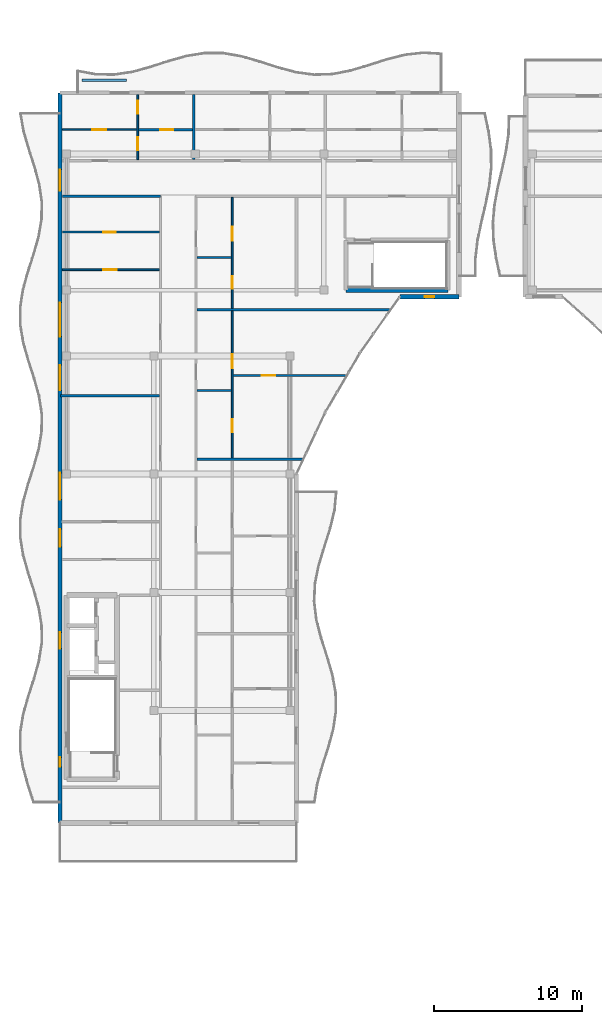
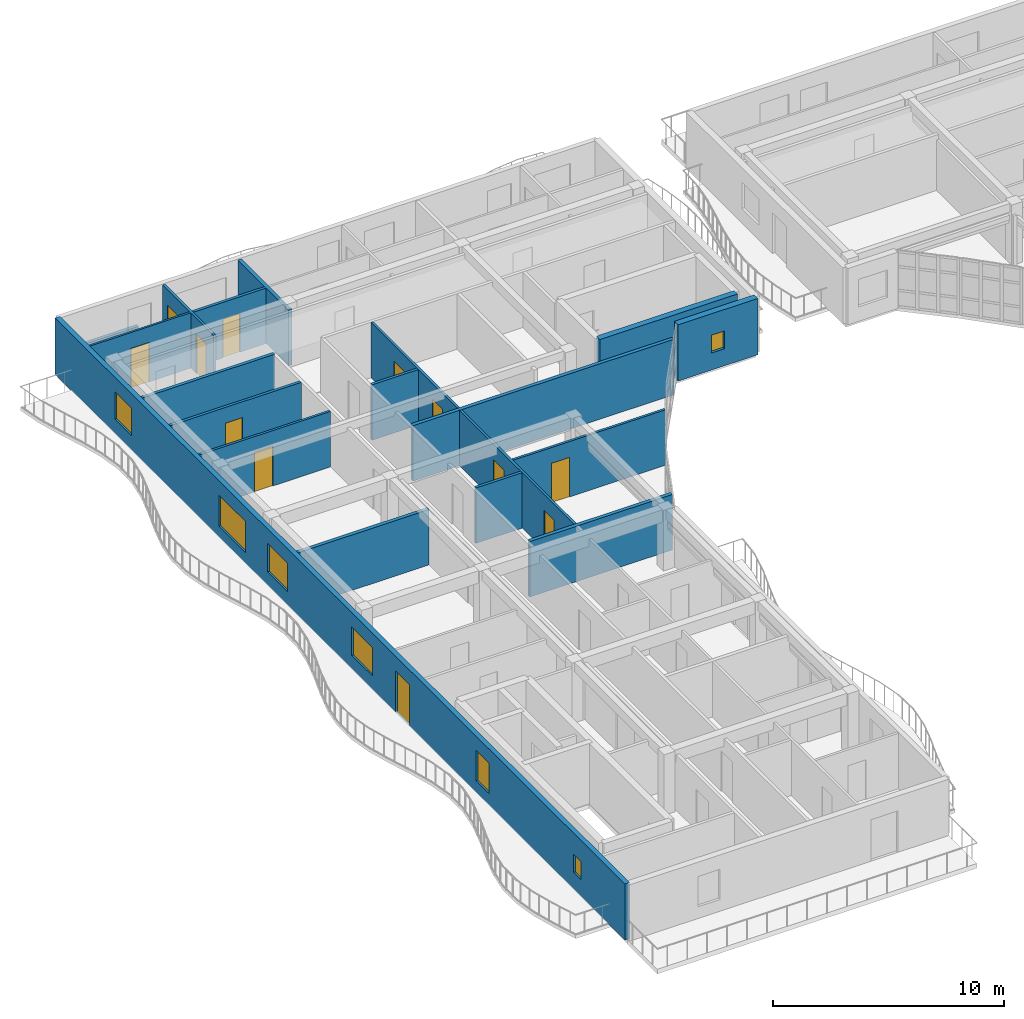
# One storey, part 32 of 68: 19 walls, 12 doors, 7 windows, 19 openings.
"""IFC4 building model written with IfcOpenShell, lengths in metres."""

from ifc_helpers import new_model, si_unit, direction, frame, frame_2d, origin, place, context, subcontext, project, spatial, rectangle, extrude, material, layer, layer_set, type_object, element, fill, save


model = new_model("IFC4")

# Units and contexts
model_context = context("Model", 3, precision=1e-05, world=origin(), true_north=direction((0.0, 1.0)))
body_context = subcontext(model_context, "Body", "Model", "MODEL_VIEW")
ifc_project = project(units=[si_unit("LENGTHUNIT", "METRE"), si_unit("AREAUNIT", "SQUARE_METRE"), si_unit("VOLUMEUNIT", "CUBIC_METRE"), si_unit("PLANEANGLEUNIT", "RADIAN"), si_unit("MASSUNIT", "GRAM", prefix="KILO")], contexts=[model_context])

# Site, building, storey
site_placement = place(None, origin())
site = spatial("IfcSite", under=ifc_project, at=site_placement, CompositionType="ELEMENT")
building_placement = place(site_placement, origin())
building = spatial("IfcBuilding", under=site, at=building_placement, Name="Keldmere Railside Commons", CompositionType="ELEMENT")
storey_placement = place(building_placement, frame((0.0, 0.0, 23.360107421875)))
storey = spatial("IfcBuildingStorey", under=building, at=storey_placement, Name="L07", CompositionType="ELEMENT", Elevation=23.360107421875)

# Walls
ifc_material_1 = material(Name="Acoustic Gypsum Board Partition", Category="gypsum")
ifc_layer_1 = layer(ifc_material_1, 0.179931640625, Name="Acoustic Demising Partition 180")
ifc_layer_set_1 = layer_set([ifc_layer_1], Name="Acoustic Gypsum Board Partition")
wall_type_1 = type_object("IfcWallType", Name="Acoustic Demising Partition 180", PredefinedType="PARTITIONING", material=ifc_layer_set_1)
wall_1_placement = place(storey_placement, frame((17.280029296875, 89.010009765625, 0.0), z_axis=(0.0, 0.0, 1.0), x_axis=(1.0, 0.0, 0.0)))
element("IfcWall", 1, at=wall_1_placement, inside=storey, type_object=wall_type_1, Name="IW-1 IW-L07-0453", PredefinedType="PARTITIONING", context=body_context, shape_type="SweptSolid", body=[
    extrude(rectangle(XDim=7.149658203125, YDim=0.179931640625, at=frame_2d((3.57470703125, 0.0))), origin(), (0.0, 0.0, 1.0), 2.934814453125),
])
wall_2_placement = place(storey_placement, frame((17.280029296875, 99.1298828125, 0.0), z_axis=(0.0, 0.0, 1.0), x_axis=(1.0, 0.0, 0.0)))
element("IfcWall", 2, at=wall_2_placement, inside=storey, type_object=wall_type_1, Name="IW-1 IW-L07-0454", PredefinedType="PARTITIONING", context=body_context, shape_type="SweptSolid", body=[
    extrude(rectangle(XDim=13.05322265625, YDim=0.179931640625, at=frame_2d((6.526611328125, 0.0))), origin(), (0.0, 0.0, 1.0), 2.934814453125),
])
wall_3_placement = place(storey_placement, frame((17.050048828125, 109.280029296875, 0.0), z_axis=(0.0, 0.0, 1.0), x_axis=(0.0, 1.0, 0.0)))
element("IfcWall", 3, at=wall_3_placement, inside=storey, type_object=wall_type_1, Name="IW-1 IW-L07-0467", PredefinedType="PARTITIONING", context=body_context, shape_type="SweptSolid", body=[
    extrude(rectangle(XDim=4.39990234375, YDim=0.179931640625, at=frame_2d((2.199951171875, 0.0))), origin(), (0.0, 0.0, 1.0), 2.934814453125),
])
wall_4_placement = place(storey_placement, frame((8.0400390625, 93.300048828125, 0.0), z_axis=(0.0, 0.0, 1.0), x_axis=(1.0, 0.0, 0.0)))
element("IfcWall", 4, at=wall_4_placement, inside=storey, type_object=wall_type_1, Name="IW-1 IW-L07-0478", PredefinedType="PARTITIONING", context=body_context, shape_type="SweptSolid", body=[
    extrude(rectangle(XDim=6.679931640625, YDim=0.179931640625, at=frame_2d((3.33984375, 0.0))), origin(), (0.0, 0.0, 1.0), 2.934814453125),
])

# Wall, openings, doors
ifc_layer_2 = layer(ifc_material_1, 0.1201171875, Name="Apartment Interior Partition 120")
ifc_layer_set_2 = layer_set([ifc_layer_2], Name="Acoustic Gypsum Board Partition")
wall_type_2 = type_object("IfcWallType", Name="Apartment Interior Partition 120", PredefinedType="PARTITIONING", material=ifc_layer_set_2)
wall_5_placement = place(storey_placement, frame((19.659912109375, 89.10009765625, 0.0), z_axis=(0.0, 0.0, 1.0), x_axis=(0.0, 1.0, 0.0)))
wall_5 = element("IfcWall", 5, at=wall_5_placement, inside=storey, type_object=wall_type_2, Name="IW-4 IW-L07-0462", PredefinedType="PARTITIONING", context=body_context, shape_type="SweptSolid", body=[
    extrude(rectangle(XDim=9.93994140625, YDim=0.1201171875, at=frame_2d((4.969970703125, 0.0))), origin(), (0.0, 0.0, 1.0), 2.934814453125),
])
opening_1_placement = place(wall_5_placement, frame((1.736572265625, 0.0, 0.0)))
opening_1 = element("IfcOpeningElement", 6, at=opening_1_placement, cuts=wall_5, Name="Opening ID-04", PredefinedType="OPENING", context=body_context, shape_type="SweptSolid", body=[
    extrude(rectangle(XDim=0.860107421875, YDim=2.10009765625, at=frame_2d((0.43017578125, 1.050048828125))), frame((0.0, 0.070068359375, 0.0), z_axis=(0.0, -1.0, 0.0), x_axis=(1.0, 0.0, 0.0)), (0.0, 0.0, 1.0), 0.14013671875),
])
opening_2_placement = place(wall_5_placement, frame((6.073486328125, 0.0, 0.0)))
opening_2 = element("IfcOpeningElement", 7, at=opening_2_placement, cuts=wall_5, Name="Opening ID-03", PredefinedType="OPENING", context=body_context, shape_type="SweptSolid", body=[
    extrude(rectangle(XDim=0.919921875, YDim=2.10009765625, at=frame_2d((0.4599609375, 1.050048828125))), frame((0.0, 0.070068359375, 0.0), z_axis=(0.0, -1.0, 0.0), x_axis=(1.0, 0.0, 0.0)), (0.0, 0.0, 1.0), 0.14013671875),
])
ifc_material_2 = material(Name="Engineered Oak Timber", Category="wood")
door_type_1 = type_object("IfcDoorType", Name="Apartment Bathroom Door 860x2100", OperationType="NOTDEFINED", PredefinedType="DOOR", material=ifc_material_2)
door_1_placement = place(opening_1_placement, origin())
door_1 = element("IfcDoor", 8, at=door_1_placement, inside=storey, type_object=door_type_1, Name="ID-04 IDR-L07-0358", OperationType="SINGLE_SWING_RIGHT", OverallHeight=2.10009765625, OverallWidth=0.860107421875, PredefinedType="DOOR", context=body_context, shape_type="SweptSolid", body=[
    extrude(rectangle(XDim=0.860107421875, YDim=2.10009765625, at=frame_2d((0.43017578125, 1.050048828125))), frame((0.0, 0.02490234375, 0.0), z_axis=(0.0, -1.0, 0.0), x_axis=(1.0, 0.0, 0.0)), (0.0, 0.0, 1.0), 0.050048828125),
])
fill(opening_1, door_1)
door_type_2 = type_object("IfcDoorType", Name="Kitchen Pocket-Frame Swing Door 920x2100", OperationType="NOTDEFINED", PredefinedType="DOOR", material=ifc_material_2)
door_2_placement = place(opening_2_placement, origin())
door_2 = element("IfcDoor", 9, at=door_2_placement, inside=storey, type_object=door_type_2, Name="ID-03 IDR-L07-0359", OperationType="SINGLE_SWING_LEFT", OverallHeight=2.10009765625, OverallWidth=0.919921875, PredefinedType="DOOR", context=body_context, shape_type="SweptSolid", body=[
    extrude(rectangle(XDim=0.919921875, YDim=2.10009765625, at=frame_2d((0.4599609375, 1.050048828125))), frame((0.0, 0.02490234375, 0.0), z_axis=(0.0, -1.0, 0.0), x_axis=(1.0, 0.0, 0.0)), (0.0, 0.0, 1.0), 0.050048828125),
])
fill(opening_2, door_2)

# Wall, opening, door
wall_6_placement = place(storey_placement, frame((19.719970703125, 94.669921875, 0.0), z_axis=(0.0, 0.0, 1.0), x_axis=(1.0, 0.0, 0.0)))
wall_6 = element("IfcWall", 10, at=wall_6_placement, inside=storey, type_object=wall_type_2, Name="IW-4 IW-L07-0464", PredefinedType="PARTITIONING", context=body_context, shape_type="SweptSolid", body=[
    extrude(rectangle(XDim=7.64501953125, YDim=0.1201171875, at=frame_2d((3.822509765625, 0.0))), origin(), (0.0, 0.0, 1.0), 2.934814453125),
])
opening_3_placement = place(wall_6_placement, frame((1.93798828125, 0.0, 0.0)))
opening_3 = element("IfcOpeningElement", 11, at=opening_3_placement, cuts=wall_6, Name="Opening ID-01", PredefinedType="OPENING", context=body_context, shape_type="SweptSolid", body=[
    extrude(rectangle(XDim=0.89990234375, YDim=2.10009765625, at=frame_2d((0.449951171875, 1.050048828125))), frame((0.0, 0.070068359375, 0.0), z_axis=(0.0, -1.0, 0.0), x_axis=(1.0, 0.0, 0.0)), (0.0, 0.0, 1.0), 0.14013671875),
])
door_type_3 = type_object("IfcDoorType", Name="Primary Bedroom Door 900x2100", OperationType="NOTDEFINED", PredefinedType="DOOR", material=ifc_material_2)
door_3_placement = place(opening_3_placement, origin())
door_3 = element("IfcDoor", 12, at=door_3_placement, inside=storey, type_object=door_type_3, Name="ID-01 IDR-L07-0361", OperationType="SINGLE_SWING_LEFT", OverallHeight=2.10009765625, OverallWidth=0.89990234375, PredefinedType="DOOR", context=body_context, shape_type="SweptSolid", body=[
    extrude(rectangle(XDim=0.89990234375, YDim=2.10009765625, at=frame_2d((0.449951171875, 1.050048828125))), frame((0.0, 0.02490234375, 0.0), z_axis=(0.0, -1.0, 0.0), x_axis=(1.0, 0.0, 0.0)), (0.0, 0.0, 1.0), 0.050048828125),
])
fill(opening_3, door_3)

# Wall, openings, doors
wall_7_placement = place(storey_placement, frame((19.659912109375, 99.219970703125, 0.0), z_axis=(0.0, 0.0, 1.0), x_axis=(0.0, 1.0, 0.0)))
wall_7 = element("IfcWall", 13, at=wall_7_placement, inside=storey, type_object=wall_type_2, Name="IW-4 IW-L07-0465", PredefinedType="PARTITIONING", context=body_context, shape_type="SweptSolid", body=[
    extrude(rectangle(XDim=7.5, YDim=0.1201171875, at=frame_2d((3.75, 0.0))), origin(), (0.0, 0.0, 1.0), 2.934814453125),
])
opening_4_placement = place(wall_7_placement, frame((1.31103515625, 0.0, 0.0)))
opening_4 = element("IfcOpeningElement", 14, at=opening_4_placement, cuts=wall_7, Name="Opening ID-04", PredefinedType="OPENING", context=body_context, shape_type="SweptSolid", body=[
    extrude(rectangle(XDim=0.860107421875, YDim=2.10009765625, at=frame_2d((0.43017578125, 1.050048828125))), frame((0.0, 0.070068359375, 0.0), z_axis=(0.0, -1.0, 0.0), x_axis=(1.0, 0.0, 0.0)), (0.0, 0.0, 1.0), 0.14013671875),
])
opening_5_placement = place(wall_7_placement, frame((4.583984375, 0.0, 0.0)))
opening_5 = element("IfcOpeningElement", 15, at=opening_5_placement, cuts=wall_7, Name="Opening ID-03", PredefinedType="OPENING", context=body_context, shape_type="SweptSolid", body=[
    extrude(rectangle(XDim=0.919921875, YDim=2.10009765625, at=frame_2d((0.4599609375, 1.050048828125))), frame((0.0, 0.070068359375, 0.0), z_axis=(0.0, -1.0, 0.0), x_axis=(1.0, 0.0, 0.0)), (0.0, 0.0, 1.0), 0.14013671875),
])
door_4_placement = place(opening_4_placement, origin())
door_4 = element("IfcDoor", 16, at=door_4_placement, inside=storey, type_object=door_type_1, Name="ID-04 IDR-L07-0362", OperationType="SINGLE_SWING_RIGHT", OverallHeight=2.10009765625, OverallWidth=0.860107421875, PredefinedType="DOOR", context=body_context, shape_type="SweptSolid", body=[
    extrude(rectangle(XDim=0.860107421875, YDim=2.10009765625, at=frame_2d((0.43017578125, 1.050048828125))), frame((0.0, 0.02490234375, 0.0), z_axis=(0.0, -1.0, 0.0), x_axis=(1.0, 0.0, 0.0)), (0.0, 0.0, 1.0), 0.050048828125),
])
fill(opening_4, door_4)
door_5_placement = place(opening_5_placement, origin())
door_5 = element("IfcDoor", 17, at=door_5_placement, inside=storey, type_object=door_type_2, Name="ID-03 IDR-L07-0363", OperationType="SINGLE_SWING_LEFT", OverallHeight=2.10009765625, OverallWidth=0.919921875, PredefinedType="DOOR", context=body_context, shape_type="SweptSolid", body=[
    extrude(rectangle(XDim=0.919921875, YDim=2.10009765625, at=frame_2d((0.4599609375, 1.050048828125))), frame((0.0, 0.02490234375, 0.0), z_axis=(0.0, -1.0, 0.0), x_axis=(1.0, 0.0, 0.0)), (0.0, 0.0, 1.0), 0.050048828125),
])
fill(opening_5, door_5)

wall_8_placement = place(storey_placement, frame((13.260009765625, 109.280029296875, 0.0), z_axis=(0.0, 0.0, 1.0), x_axis=(0.0, 1.0, 0.0)))
wall_8 = element("IfcWall", 18, at=wall_8_placement, inside=storey, type_object=wall_type_2, Name="IW-4 IW-L07-0469", PredefinedType="PARTITIONING", context=body_context, shape_type="SweptSolid", body=[
    extrude(rectangle(XDim=4.39990234375, YDim=0.1201171875, at=frame_2d((2.199951171875, 0.0))), origin(), (0.0, 0.0, 1.0), 2.934814453125),
])
opening_6_placement = place(wall_8_placement, frame((0.646484375, 0.0, 0.0)))
opening_6 = element("IfcOpeningElement", 19, at=opening_6_placement, cuts=wall_8, Name="Opening ID-04", PredefinedType="OPENING", context=body_context, shape_type="SweptSolid", body=[
    extrude(rectangle(XDim=0.860107421875, YDim=2.10009765625, at=frame_2d((0.43017578125, 1.050048828125))), frame((0.0, 0.070068359375, 0.0), z_axis=(0.0, -1.0, 0.0), x_axis=(1.0, 0.0, 0.0)), (0.0, 0.0, 1.0), 0.14013671875),
])
opening_7_placement = place(wall_8_placement, frame((3.091064453125, 0.0, 0.0)))
opening_7 = element("IfcOpeningElement", 20, at=opening_7_placement, cuts=wall_8, Name="Opening ID-01", PredefinedType="OPENING", context=body_context, shape_type="SweptSolid", body=[
    extrude(rectangle(XDim=0.89990234375, YDim=2.10009765625, at=frame_2d((0.449951171875, 1.050048828125))), frame((0.0, 0.070068359375, 0.0), z_axis=(0.0, -1.0, 0.0), x_axis=(1.0, 0.0, 0.0)), (0.0, 0.0, 1.0), 0.14013671875),
])
door_6_placement = place(opening_6_placement, origin())
door_6 = element("IfcDoor", 21, at=door_6_placement, inside=storey, type_object=door_type_1, Name="ID-04 IDR-L07-0367", OperationType="SINGLE_SWING_LEFT", OverallHeight=2.10009765625, OverallWidth=0.860107421875, PredefinedType="DOOR", context=body_context, shape_type="SweptSolid", body=[
    extrude(rectangle(XDim=0.860107421875, YDim=2.10009765625, at=frame_2d((0.43017578125, 1.050048828125))), frame((0.0, 0.02490234375, 0.0), z_axis=(0.0, -1.0, 0.0), x_axis=(1.0, 0.0, 0.0)), (0.0, 0.0, 1.0), 0.050048828125),
])
fill(opening_6, door_6)
door_7_placement = place(opening_7_placement, origin())
door_7 = element("IfcDoor", 22, at=door_7_placement, inside=storey, type_object=door_type_3, Name="ID-01 IDR-L07-0368", OperationType="SINGLE_SWING_RIGHT", OverallHeight=2.10009765625, OverallWidth=0.89990234375, PredefinedType="DOOR", context=body_context, shape_type="SweptSolid", body=[
    extrude(rectangle(XDim=0.89990234375, YDim=2.10009765625, at=frame_2d((0.449951171875, 1.050048828125))), frame((0.0, 0.02490234375, 0.0), z_axis=(0.0, -1.0, 0.0), x_axis=(1.0, 0.0, 0.0)), (0.0, 0.0, 1.0), 0.050048828125),
])
fill(opening_7, door_7)

# Wall, opening, door
wall_9_placement = place(storey_placement, frame((8.159912109375, 101.820068359375, 0.0), z_axis=(0.0, 0.0, 1.0), x_axis=(1.0, 0.0, 0.0)))
wall_9 = element("IfcWall", 23, at=wall_9_placement, inside=storey, type_object=wall_type_2, Name="IW-4 IW-L07-0481", PredefinedType="PARTITIONING", context=body_context, shape_type="SweptSolid", body=[
    extrude(rectangle(XDim=6.56005859375, YDim=0.1201171875, at=frame_2d((3.280029296875, 0.0))), origin(), (0.0, 0.0, 1.0), 2.934814453125),
])
opening_8_placement = place(wall_9_placement, frame((2.755126953125, 0.0, 0.0)))
opening_8 = element("IfcOpeningElement", 24, at=opening_8_placement, cuts=wall_9, Name="Opening ID-03", PredefinedType="OPENING", context=body_context, shape_type="SweptSolid", body=[
    extrude(rectangle(XDim=0.919921875, YDim=2.10009765625, at=frame_2d((0.4599609375, 1.050048828125))), frame((0.0, 0.070068359375, 0.0), z_axis=(0.0, -1.0, 0.0), x_axis=(1.0, 0.0, 0.0)), (0.0, 0.0, 1.0), 0.14013671875),
])
door_8_placement = place(opening_8_placement, origin())
door_8 = element("IfcDoor", 25, at=door_8_placement, inside=storey, type_object=door_type_2, Name="ID-03 IDR-L07-0384", OperationType="SINGLE_SWING_RIGHT", OverallHeight=2.10009765625, OverallWidth=0.919921875, PredefinedType="DOOR", context=body_context, shape_type="SweptSolid", body=[
    extrude(rectangle(XDim=0.919921875, YDim=2.10009765625, at=frame_2d((0.4599609375, 1.050048828125))), frame((0.0, 0.02490234375, 0.0), z_axis=(0.0, -1.0, 0.0), x_axis=(1.0, 0.0, 0.0)), (0.0, 0.0, 1.0), 0.050048828125),
])
fill(opening_8, door_8)

# Wall
ifc_material_3 = material(Name="White Precast Concrete H-35 (C35/45)", Category="concrete")
ifc_layer_3 = layer(ifc_material_3, 0.169921875, Name="Balcony Planter Kerb Wall 170")
ifc_layer_set_3 = layer_set([ifc_layer_3], Name="White Precast Concrete H-35 (C35/45)")
wall_type_3 = type_object("IfcWallType", Name="Balcony Planter Kerb Wall 170", PredefinedType="PARAPET", material=ifc_layer_set_3)
wall_10_placement = place(storey_placement, frame((9.5, 114.64990234375, 0.0), z_axis=(0.0, 0.0, 1.0), x_axis=(1.0, 0.0, 0.0)))
element("IfcWall", 26, at=wall_10_placement, inside=storey, type_object=wall_type_3, Name="PW-2 PKBD-L07-0176", PredefinedType="PARAPET", context=body_context, shape_type="SweptSolid", body=[
    extrude(rectangle(XDim=3.0, YDim=0.169921875, at=frame_2d((1.5, 0.0))), origin(), (0.0, 0.0, 1.0), 0.449951171875),
])

# Wall, opening, door
ifc_layer_4 = layer(ifc_material_1, 0.10009765625, Name="Closet Light Partition 100")
ifc_layer_set_4 = layer_set([ifc_layer_4], Name="Acoustic Gypsum Board Partition")
wall_type_4 = type_object("IfcWallType", Name="Closet Light Partition 100", PredefinedType="PARTITIONING", material=ifc_layer_set_4)
wall_11_placement = place(storey_placement, frame((8.159912109375, 111.300048828125, 0.0), z_axis=(0.0, 0.0, 1.0), x_axis=(1.0, 0.0, 0.0)))
wall_11 = element("IfcWall", 27, at=wall_11_placement, inside=storey, type_object=wall_type_4, Name="IW-6 IW-L07-0471", PredefinedType="PARTITIONING", context=body_context, shape_type="SweptSolid", body=[
    extrude(rectangle(XDim=5.0400390625, YDim=0.10009765625, at=frame_2d((2.52001953125, 0.0))), origin(), (0.0, 0.0, 1.0), 2.934814453125),
])
opening_9_placement = place(wall_11_placement, frame((2.0400390625, 0.0, 0.0)))
opening_9 = element("IfcOpeningElement", 28, at=opening_9_placement, cuts=wall_11, Name="Opening ID-03", PredefinedType="OPENING", context=body_context, shape_type="SweptSolid", body=[
    extrude(rectangle(XDim=0.919921875, YDim=2.10009765625, at=frame_2d((0.4599609375, 1.050048828125))), frame((0.0, 0.06005859375, 0.0), z_axis=(0.0, -1.0, 0.0), x_axis=(1.0, 0.0, 0.0)), (0.0, 0.0, 1.0), 0.1201171875),
])
door_9_placement = place(opening_9_placement, origin())
door_9 = element("IfcDoor", 29, at=door_9_placement, inside=storey, type_object=door_type_2, Name="ID-03 IDR-L07-0366", OperationType="SINGLE_SWING_RIGHT", OverallHeight=2.10009765625, OverallWidth=0.919921875, PredefinedType="DOOR", context=body_context, shape_type="SweptSolid", body=[
    extrude(rectangle(XDim=0.919921875, YDim=2.10009765625, at=frame_2d((0.4599609375, 1.050048828125))), frame((0.0, 0.02490234375, 0.0), z_axis=(0.0, -1.0, 0.0), x_axis=(1.0, 0.0, 0.0)), (0.0, 0.0, 1.0), 0.050048828125),
])
fill(opening_9, door_9)

# Wall
ifc_layer_5 = layer(ifc_material_1, 0.159912109375, Name="Corridor Fire Partition 160")
ifc_layer_set_5 = layer_set([ifc_layer_5], Name="Acoustic Gypsum Board Partition")
wall_type_5 = type_object("IfcWallType", Name="Corridor Fire Partition 160", PredefinedType="PARTITIONING", material=ifc_layer_set_5)
wall_12_placement = place(storey_placement, frame((8.159912109375, 106.800048828125, 0.0), z_axis=(0.0, 0.0, 1.0), x_axis=(1.0, 0.0, 0.0)))
element("IfcWall", 30, at=wall_12_placement, inside=storey, type_object=wall_type_5, Name="IW-2 IW-L07-0446", PredefinedType="PARTITIONING", context=body_context, shape_type="SweptSolid", body=[
    extrude(rectangle(XDim=6.64013671875, YDim=0.159912109375, at=frame_2d((3.320068359375, 0.0))), origin(), (0.0, 0.0, 1.0), 2.934814453125),
])

# Wall, opening, window
ifc_material_4 = material(Name="Concrete H-35 (C35/45)", Category="concrete")
ifc_layer_6 = layer(ifc_material_4, 0.320068359375, Name="Exterior Shear Wall 320")
ifc_layer_set_6 = layer_set([ifc_layer_6], Name="Concrete H-35 (C35/45)")
wall_type_6 = type_object("IfcWallType", Name="Exterior Shear Wall 320", PredefinedType="SHEAR", material=ifc_layer_set_6)
wall_13_placement = place(storey_placement, frame((35.0, 100.0, 0.0), z_axis=(0.0, 0.0, 1.0), x_axis=(-1.0, 0.0, 0.0)))
wall_13 = element("IfcWall", 31, at=wall_13_placement, inside=storey, type_object=wall_type_6, Name="ESW-2 EXTD-L07-0172", PredefinedType="SHEAR", context=body_context, shape_type="SweptSolid", body=[
    extrude(rectangle(XDim=4.0, YDim=0.320068359375, at=frame_2d((2.0, 0.0))), origin(), (0.0, 0.0, 1.0), 2.97998046875),
])
opening_10_placement = place(wall_13_placement, frame((1.675048828125, 0.0, 0.89990234375)))
opening_10 = element("IfcOpeningElement", 32, at=opening_10_placement, cuts=wall_13, Name="Opening WN-15", PredefinedType="OPENING", context=body_context, shape_type="SweptSolid", body=[
    extrude(rectangle(XDim=0.64990234375, YDim=0.949951171875, at=frame_2d((0.324951171875, 0.47509765625))), frame((0.0, 0.169921875, 0.0), z_axis=(0.0, -1.0, 0.0), x_axis=(1.0, 0.0, 0.0)), (0.0, 0.0, 1.0), 0.340087890625),
])
ifc_material_5 = material(Name="Low-E Insulated Double Glazing", Category="glass")
window_type_1 = type_object("IfcWindowType", Name="Exterior Bathroom Frosted Window 650x950", PartitioningType="SINGLE_PANEL", PredefinedType="WINDOW", material=ifc_material_5)
window_1_placement = place(opening_10_placement, origin())
window_1 = element("IfcWindow", 33, at=window_1_placement, inside=storey, type_object=window_type_1, Name="WN-15 WIN-L07-0135", OverallHeight=0.949951171875, OverallWidth=0.64990234375, PartitioningType="SINGLE_PANEL", PredefinedType="WINDOW", context=body_context, shape_type="SweptSolid", body=[
    extrude(rectangle(XDim=0.64990234375, YDim=0.949951171875, at=frame_2d((0.324951171875, 0.47509765625))), frame((0.0, 0.030029296875, 0.0), z_axis=(0.0, -1.0, 0.0), x_axis=(1.0, 0.0, 0.0)), (0.0, 0.0, 1.0), 0.06005859375),
])
fill(opening_10, window_1)

# Wall
ifc_layer_7 = layer(ifc_material_4, 0.300048828125, Name="Interior Shear Wall 300")
ifc_layer_set_7 = layer_set([ifc_layer_7], Name="Concrete H-35 (C35/45)")
wall_type_7 = type_object("IfcWallType", Name="Interior Shear Wall 300", PredefinedType="SHEAR", material=ifc_layer_set_7)
wall_14_placement = place(storey_placement, frame((27.35009765625, 100.449951171875, 0.0), z_axis=(0.0, 0.0, 1.0), x_axis=(1.0, 0.0, 0.0)))
element("IfcWall", 34, at=wall_14_placement, inside=storey, type_object=wall_type_7, Name="ISW-2 CORED2S-L07-0119", PredefinedType="SHEAR", context=body_context, shape_type="SweptSolid", body=[
    extrude(rectangle(XDim=6.89990234375, YDim=0.300048828125, at=frame_2d((3.449951171875, 0.0))), origin(), (0.0, 0.0, 1.0), 3.199951171875),
])

# Wall, openings, door, windows
ifc_material_6 = material(Name="Architectural Precast Concrete H-35 (C35/45)", Category="concrete")
ifc_layer_8 = layer(ifc_material_6, 0.239990234375, Name="Sand-Ochre Precast Cavity Wall 240")
ifc_layer_set_8 = layer_set([ifc_layer_8], Name="Architectural Precast Concrete H-35 (C35/45)")
wall_type_8 = type_object("IfcWallType", Name="Sand-Ochre Precast Cavity Wall 240", PredefinedType="SOLIDWALL", material=ifc_layer_set_8)
wall_15_placement = place(storey_placement, frame((8.0, 64.39990234375, 0.0), z_axis=(0.0, 0.0, 1.0), x_axis=(0.0, 1.0, 0.0)))
wall_15 = element("IfcWall", 35, at=wall_15_placement, inside=storey, type_object=wall_type_8, Name="EW-2 EXTD-L07-0175", PredefinedType="SOLIDWALL", context=body_context, shape_type="SweptSolid", body=[
    extrude(rectangle(XDim=49.400146484375, YDim=0.239990234375, at=frame_2d((24.7001953125, 0.0))), origin(), (0.0, 0.0, 1.0), 2.97998046875),
])
opening_11_placement = place(wall_15_placement, frame((3.791748046875, 0.0, 0.89990234375)))
opening_11 = element("IfcOpeningElement", 36, at=opening_11_placement, cuts=wall_15, Name="Opening WN-15", PredefinedType="OPENING", context=body_context, shape_type="SweptSolid", body=[
    extrude(rectangle(XDim=0.64990234375, YDim=0.949951171875, at=frame_2d((0.324951171875, 0.47509765625))), frame((0.0, 0.1298828125, 0.0), z_axis=(0.0, -1.0, 0.0), x_axis=(1.0, 0.0, 0.0)), (0.0, 0.0, 1.0), 0.260009765625),
])
opening_12_placement = place(wall_15_placement, frame((11.800048828125, 0.0, 0.6201171875)))
opening_12 = element("IfcOpeningElement", 37, at=opening_12_placement, cuts=wall_15, Name="Opening WN-16", PredefinedType="OPENING", context=body_context, shape_type="SweptSolid", body=[
    extrude(rectangle(XDim=1.10009765625, YDim=1.60009765625, at=frame_2d((0.550048828125, 0.800048828125))), frame((0.0, 0.1298828125, 0.0), z_axis=(0.0, -1.0, 0.0), x_axis=(1.0, 0.0, 0.0)), (0.0, 0.0, 1.0), 0.260009765625),
])
opening_13_placement = place(wall_15_placement, frame((18.683349609375, 0.0, 0.0)))
opening_13 = element("IfcOpeningElement", 38, at=opening_13_placement, cuts=wall_15, Name="Opening BD-01", PredefinedType="OPENING", context=body_context, shape_type="SweptSolid", body=[
    extrude(rectangle(XDim=1.199951171875, YDim=2.199951171875, at=frame_2d((0.60009765625, 1.10009765625))), frame((0.0, 0.1298828125, 0.0), z_axis=(0.0, -1.0, 0.0), x_axis=(1.0, 0.0, 0.0)), (0.0, 0.0, 1.0), 0.260009765625),
])
opening_14_placement = place(wall_15_placement, frame((21.88330078125, 0.0, 0.719970703125)))
opening_14 = element("IfcOpeningElement", 39, at=opening_14_placement, cuts=wall_15, Name="Opening WN-01", PredefinedType="OPENING", context=body_context, shape_type="SweptSolid", body=[
    extrude(rectangle(XDim=1.800048828125, YDim=1.5, at=frame_2d((0.89990234375, 0.75))), frame((0.0, 0.1298828125, 0.0), z_axis=(0.0, -1.0, 0.0), x_axis=(1.0, 0.0, 0.0)), (0.0, 0.0, 1.0), 0.260009765625),
])
opening_15_placement = place(wall_15_placement, frame((29.2666015625, 0.0, 0.719970703125)))
opening_15 = element("IfcOpeningElement", 40, at=opening_15_placement, cuts=wall_15, Name="Opening WN-20", PredefinedType="OPENING", context=body_context, shape_type="SweptSolid", body=[
    extrude(rectangle(XDim=1.699951171875, YDim=1.5, at=frame_2d((0.85009765625, 0.75))), frame((0.0, 0.1298828125, 0.0), z_axis=(0.0, -1.0, 0.0), x_axis=(1.0, 0.0, 0.0)), (0.0, 0.0, 1.0), 0.260009765625),
])
opening_16_placement = place(wall_15_placement, frame((32.89990234375, 0.0, 0.570068359375)))
opening_16 = element("IfcOpeningElement", 41, at=opening_16_placement, cuts=wall_15, Name="Opening WN-23", PredefinedType="OPENING", context=body_context, shape_type="SweptSolid", body=[
    extrude(rectangle(XDim=2.300048828125, YDim=1.64990234375, at=frame_2d((1.14990234375, 0.824951171875))), frame((0.0, 0.1298828125, 0.0), z_axis=(0.0, -1.0, 0.0), x_axis=(1.0, 0.0, 0.0)), (0.0, 0.0, 1.0), 0.260009765625),
])
opening_17_placement = place(wall_15_placement, frame((42.75830078125, 0.0, 0.77001953125)))
opening_17 = element("IfcOpeningElement", 42, at=opening_17_placement, cuts=wall_15, Name="Opening WN-24", PredefinedType="OPENING", context=body_context, shape_type="SweptSolid", body=[
    extrude(rectangle(XDim=1.449951171875, YDim=1.449951171875, at=frame_2d((0.72509765625, 0.72509765625))), frame((0.0, 0.1298828125, 0.0), z_axis=(0.0, -1.0, 0.0), x_axis=(1.0, 0.0, 0.0)), (0.0, 0.0, 1.0), 0.260009765625),
])
ifc_material_7 = material(Name="Thermally Broken Aluminium", Category="aluminium")
door_type_4 = type_object("IfcDoorType", Name="Apartment Living Wave-Balcony Glazed Door 1200x2200", OperationType="NOTDEFINED", PredefinedType="DOOR", material=ifc_material_7)
door_10_placement = place(opening_13_placement, origin())
door_10 = element("IfcDoor", 43, at=door_10_placement, inside=storey, type_object=door_type_4, Name="BD-01 DR-L07-0047", OperationType="SINGLE_SWING_LEFT", OverallHeight=2.199951171875, OverallWidth=1.199951171875, PredefinedType="DOOR", context=body_context, shape_type="SweptSolid", body=[
    extrude(rectangle(XDim=1.199951171875, YDim=2.199951171875, at=frame_2d((0.60009765625, 1.10009765625))), frame((0.0, 0.02490234375, 0.0), z_axis=(0.0, -1.0, 0.0), x_axis=(1.0, 0.0, 0.0)), (0.0, 0.0, 1.0), 0.050048828125),
])
fill(opening_13, door_10)
window_type_2 = type_object("IfcWindowType", Name="Corridor End Daylight Window 1100x1600", PartitioningType="SINGLE_PANEL", PredefinedType="WINDOW", material=ifc_material_5)
window_2_placement = place(opening_12_placement, origin())
window_2 = element("IfcWindow", 44, at=window_2_placement, inside=storey, type_object=window_type_2, Name="WN-16 WIN-L07-0141", OverallHeight=1.60009765625, OverallWidth=1.10009765625, PartitioningType="SINGLE_PANEL", PredefinedType="WINDOW", context=body_context, shape_type="SweptSolid", body=[
    extrude(rectangle(XDim=1.10009765625, YDim=1.60009765625, at=frame_2d((0.550048828125, 0.800048828125))), frame((0.0, 0.030029296875, 0.0), z_axis=(0.0, -1.0, 0.0), x_axis=(1.0, 0.0, 0.0)), (0.0, 0.0, 1.0), 0.06005859375),
])
fill(opening_12, window_2)
window_3_placement = place(opening_11_placement, origin())
window_3 = element("IfcWindow", 45, at=window_3_placement, inside=storey, type_object=window_type_1, Name="WN-15 WIN-L07-0140", OverallHeight=0.949951171875, OverallWidth=0.64990234375, PartitioningType="SINGLE_PANEL", PredefinedType="WINDOW", context=body_context, shape_type="SweptSolid", body=[
    extrude(rectangle(XDim=0.64990234375, YDim=0.949951171875, at=frame_2d((0.324951171875, 0.47509765625))), frame((0.0, 0.030029296875, 0.0), z_axis=(0.0, -1.0, 0.0), x_axis=(1.0, 0.0, 0.0)), (0.0, 0.0, 1.0), 0.06005859375),
])
fill(opening_11, window_3)
window_type_3 = type_object("IfcWindowType", Name="Living Room North Casement Window 1800x1500", PartitioningType="SINGLE_PANEL", PredefinedType="WINDOW", material=ifc_material_5)
window_4_placement = place(opening_14_placement, origin())
window_4 = element("IfcWindow", 46, at=window_4_placement, inside=storey, type_object=window_type_3, Name="WN-01 WIN-L07-0142", OverallHeight=1.5, OverallWidth=1.800048828125, PartitioningType="SINGLE_PANEL", PredefinedType="WINDOW", context=body_context, shape_type="SweptSolid", body=[
    extrude(rectangle(XDim=1.800048828125, YDim=1.5, at=frame_2d((0.89990234375, 0.75))), frame((0.0, 0.030029296875, 0.0), z_axis=(0.0, -1.0, 0.0), x_axis=(1.0, 0.0, 0.0)), (0.0, 0.0, 1.0), 0.06005859375),
])
fill(opening_14, window_4)
window_type_4 = type_object("IfcWindowType", Name="Setback Terrace Bedroom Window 1450x1450", PartitioningType="SINGLE_PANEL", PredefinedType="WINDOW", material=ifc_material_5)
window_5_placement = place(opening_17_placement, origin())
window_5 = element("IfcWindow", 47, at=window_5_placement, inside=storey, type_object=window_type_4, Name="WN-24 WIN-L07-0145", OverallHeight=1.449951171875, OverallWidth=1.449951171875, PartitioningType="SINGLE_PANEL", PredefinedType="WINDOW", context=body_context, shape_type="SweptSolid", body=[
    extrude(rectangle(XDim=1.449951171875, YDim=1.449951171875, at=frame_2d((0.72509765625, 0.72509765625))), frame((0.0, 0.030029296875, 0.0), z_axis=(0.0, -1.0, 0.0), x_axis=(1.0, 0.0, 0.0)), (0.0, 0.0, 1.0), 0.06005859375),
])
fill(opening_17, window_5)
window_type_5 = type_object("IfcWindowType", Name="Setback Terrace Penthouse Window 2300x1650", PartitioningType="SINGLE_PANEL", PredefinedType="WINDOW", material=ifc_material_5)
window_6_placement = place(opening_16_placement, origin())
window_6 = element("IfcWindow", 48, at=window_6_placement, inside=storey, type_object=window_type_5, Name="WN-23 WIN-L07-0144", OverallHeight=1.64990234375, OverallWidth=2.300048828125, PartitioningType="SINGLE_PANEL", PredefinedType="WINDOW", context=body_context, shape_type="SweptSolid", body=[
    extrude(rectangle(XDim=2.300048828125, YDim=1.64990234375, at=frame_2d((1.14990234375, 0.824951171875))), frame((0.0, 0.030029296875, 0.0), z_axis=(0.0, -1.0, 0.0), x_axis=(1.0, 0.0, 0.0)), (0.0, 0.0, 1.0), 0.06005859375),
])
fill(opening_16, window_6)
window_type_6 = type_object("IfcWindowType", Name="Study Room Quiet Casement Window 1700x1500", PartitioningType="SINGLE_PANEL", PredefinedType="WINDOW", material=ifc_material_5)
window_7_placement = place(opening_15_placement, origin())
window_7 = element("IfcWindow", 49, at=window_7_placement, inside=storey, type_object=window_type_6, Name="WN-20 WIN-L07-0143", OverallHeight=1.5, OverallWidth=1.699951171875, PartitioningType="SINGLE_PANEL", PredefinedType="WINDOW", context=body_context, shape_type="SweptSolid", body=[
    extrude(rectangle(XDim=1.699951171875, YDim=1.5, at=frame_2d((0.85009765625, 0.75))), frame((0.0, 0.030029296875, 0.0), z_axis=(0.0, -1.0, 0.0), x_axis=(1.0, 0.0, 0.0)), (0.0, 0.0, 1.0), 0.06005859375),
])
fill(opening_15, window_7)

# Walls
ifc_layer_9 = layer(ifc_material_1, 0.139892578125, Name="Wet-Room Sanitary Partition 140")
ifc_layer_set_9 = layer_set([ifc_layer_9], Name="Acoustic Gypsum Board Partition")
wall_type_9 = type_object("IfcWallType", Name="Wet-Room Sanitary Partition 140", PredefinedType="PARTITIONING", material=ifc_layer_set_9)
for number, where, z_axis, x_axis, name in (
    (50, (17.280029296875, 93.669921875, 0.0), (0.0, 0.0, 1.0), (1.0, 0.0, 0.0), "IW-5 IW-L07-0463"),
    (51, (17.280029296875, 102.669921875, 0.0), (0.0, 0.0, 1.0), (1.0, 0.0, 0.0), "IW-5 IW-L07-0466"),
):
    element("IfcWall", number, at=place(storey_placement, frame(where, z_axis=z_axis, x_axis=x_axis)), inside=storey, type_object=wall_type_9, Name=name, PredefinedType="PARTITIONING", context=body_context, shape_type="SweptSolid", body=[
        extrude(rectangle(XDim=2.320068359375, YDim=0.139892578125, at=frame_2d((1.16015625, 0.0))), origin(), (0.0, 0.0, 1.0), 2.934814453125),
    ])

# Wall, opening, door
wall_16_placement = place(storey_placement, frame((13.320068359375, 111.300048828125, 0.0), z_axis=(0.0, 0.0, 1.0), x_axis=(1.0, 0.0, 0.0)))
wall_16 = element("IfcWall", 52, at=wall_16_placement, inside=storey, type_object=wall_type_9, Name="IW-5 IW-L07-0470", PredefinedType="PARTITIONING", context=body_context, shape_type="SweptSolid", body=[
    extrude(rectangle(XDim=3.639892578125, YDim=0.139892578125, at=frame_2d((1.81982421875, 0.0))), origin(), (0.0, 0.0, 1.0), 2.934814453125),
])
opening_18_placement = place(wall_16_placement, frame((1.47998046875, 0.0, 0.0)))
opening_18 = element("IfcOpeningElement", 53, at=opening_18_placement, cuts=wall_16, Name="Opening ID-06", PredefinedType="OPENING", context=body_context, shape_type="SweptSolid", body=[
    extrude(rectangle(XDim=0.85009765625, YDim=2.050048828125, at=frame_2d((0.425048828125, 1.02490234375))), frame((0.0, 0.079833984375, 0.0), z_axis=(0.0, -1.0, 0.0), x_axis=(1.0, 0.0, 0.0)), (0.0, 0.0, 1.0), 0.159912109375),
])
door_type_5 = type_object("IfcDoorType", Name="Storage Closet Door 850x2050", OperationType="NOTDEFINED", PredefinedType="DOOR", material=ifc_material_2)
door_11_placement = place(opening_18_placement, origin())
door_11 = element("IfcDoor", 54, at=door_11_placement, inside=storey, type_object=door_type_5, Name="ID-06 IDR-L07-0369", OperationType="SINGLE_SWING_LEFT", OverallHeight=2.050048828125, OverallWidth=0.85009765625, PredefinedType="DOOR", context=body_context, shape_type="SweptSolid", body=[
    extrude(rectangle(XDim=0.85009765625, YDim=2.050048828125, at=frame_2d((0.425048828125, 1.02490234375))), frame((0.0, 0.02490234375, 0.0), z_axis=(0.0, -1.0, 0.0), x_axis=(1.0, 0.0, 0.0)), (0.0, 0.0, 1.0), 0.050048828125),
])
fill(opening_18, door_11)

wall_17_placement = place(storey_placement, frame((8.159912109375, 104.3701171875, 0.0), z_axis=(0.0, 0.0, 1.0), x_axis=(1.0, 0.0, 0.0)))
wall_17 = element("IfcWall", 55, at=wall_17_placement, inside=storey, type_object=wall_type_9, Name="IW-5 IW-L07-0482", PredefinedType="PARTITIONING", context=body_context, shape_type="SweptSolid", body=[
    extrude(rectangle(XDim=6.56005859375, YDim=0.139892578125, at=frame_2d((3.280029296875, 0.0))), origin(), (0.0, 0.0, 1.0), 2.934814453125),
])
opening_19_placement = place(wall_17_placement, frame((2.755126953125, 0.0, 0.0)))
opening_19 = element("IfcOpeningElement", 56, at=opening_19_placement, cuts=wall_17, Name="Opening ID-04", PredefinedType="OPENING", context=body_context, shape_type="SweptSolid", body=[
    extrude(rectangle(XDim=0.860107421875, YDim=2.10009765625, at=frame_2d((0.43017578125, 1.050048828125))), frame((0.0, 0.079833984375, 0.0), z_axis=(0.0, -1.0, 0.0), x_axis=(1.0, 0.0, 0.0)), (0.0, 0.0, 1.0), 0.159912109375),
])
door_12_placement = place(opening_19_placement, origin())
door_12 = element("IfcDoor", 57, at=door_12_placement, inside=storey, type_object=door_type_1, Name="ID-04 IDR-L07-0383", OperationType="SINGLE_SWING_LEFT", OverallHeight=2.10009765625, OverallWidth=0.860107421875, PredefinedType="DOOR", context=body_context, shape_type="SweptSolid", body=[
    extrude(rectangle(XDim=0.860107421875, YDim=2.10009765625, at=frame_2d((0.43017578125, 1.050048828125))), frame((0.0, 0.02490234375, 0.0), z_axis=(0.0, -1.0, 0.0), x_axis=(1.0, 0.0, 0.0)), (0.0, 0.0, 1.0), 0.050048828125),
])
fill(opening_19, door_12)

save(model, "model.ifc")
